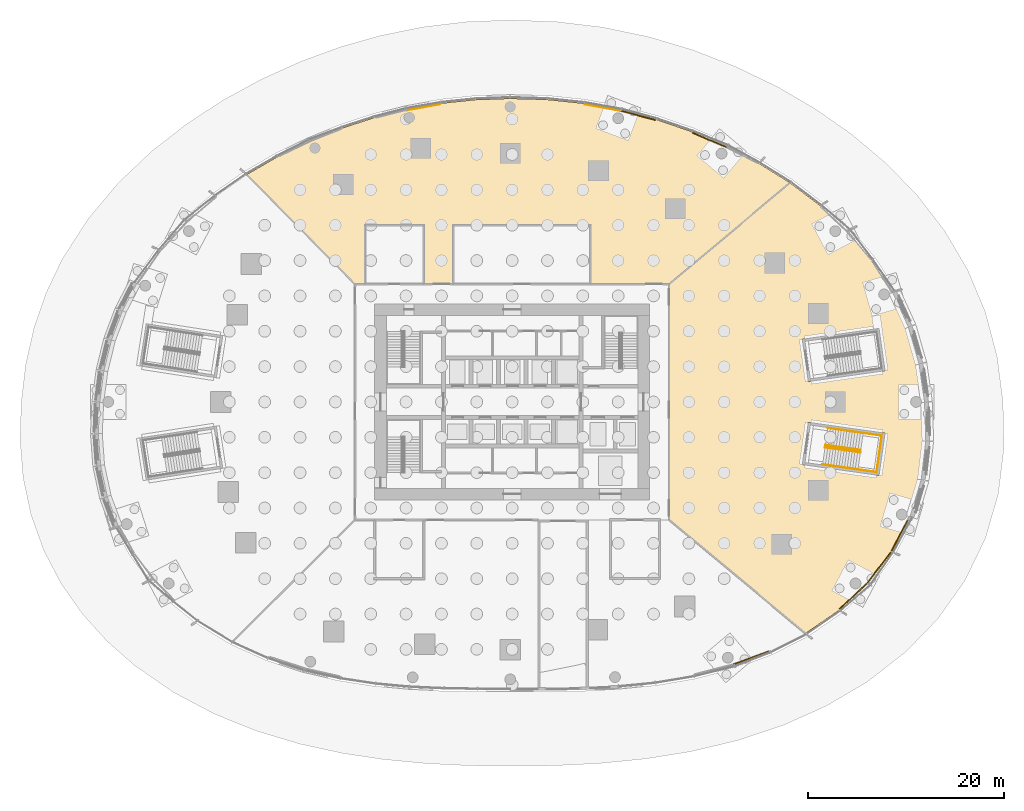
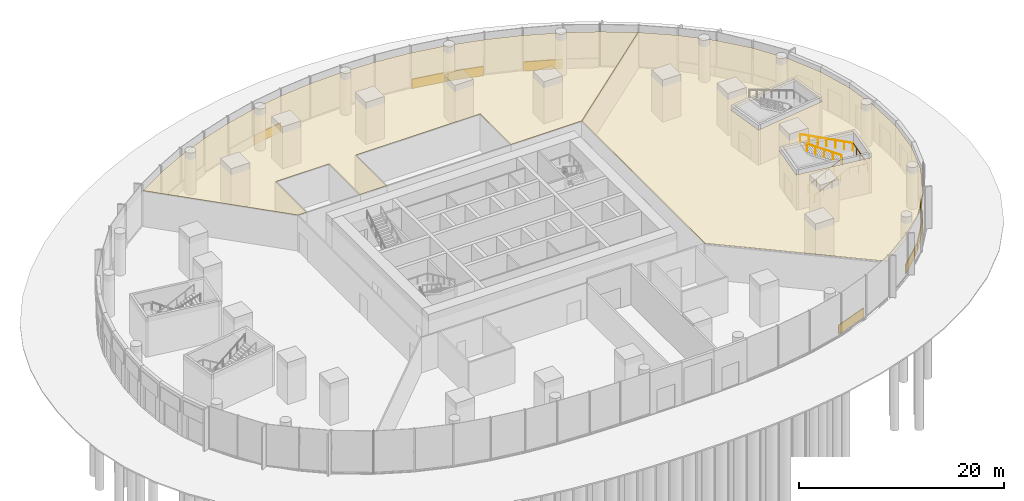
# One storey, part 27 of 29: 11 coverings, 5 railings.
"""IFC4 building model written with IfcOpenShell, lengths in metres."""

from ifc_helpers import new_model, si_unit, direction, frame, origin, origin_2d, place, context, subcontext, project, spatial, polyline, rectangle, circle, outline, extrude, material, layer, layer_set, type_object, element, save


model = new_model("IFC4")

# Units and contexts
model_context = context("Model", 3, precision=1e-05, world=origin(), true_north=direction((0.0, 1.0)))
body_context = subcontext(model_context, "Body", "Model", "MODEL_VIEW")
ifc_project = project(units=[si_unit("LENGTHUNIT", "METRE"), si_unit("AREAUNIT", "SQUARE_METRE"), si_unit("VOLUMEUNIT", "CUBIC_METRE"), si_unit("PLANEANGLEUNIT", "RADIAN"), si_unit("MASSUNIT", "GRAM", prefix="KILO")], contexts=[model_context])

# Site, building, storey
site_placement = place(None, origin())
site = spatial("IfcSite", under=ifc_project, at=site_placement, CompositionType="ELEMENT")
building_placement = place(site_placement, origin())
building = spatial("IfcBuilding", under=site, at=building_placement, Name="Ghaith Harvest Tower", CompositionType="ELEMENT")
storey_placement = place(building_placement, origin())
storey = spatial("IfcBuildingStorey", under=building, at=storey_placement, Name="L00", CompositionType="ELEMENT", Elevation=0.0)

# Coverings
ifc_material_1 = material(Name="Mineral fibre ceiling tile", Category="gypsum")
ifc_layer_1 = layer(ifc_material_1, 0.014892578125)
ifc_layer_set_1 = layer_set([ifc_layer_1], Name="CEILING C3")
covering_type_1 = type_object("IfcCoveringType", Name="CEILING C3", PredefinedType="CEILING", material=ifc_layer_set_1)
covering_1_placement = place(storey_placement, frame((0.0, 0.0, 4.199951171875)))
element("IfcCovering", 1, at=covering_1_placement, inside=storey, type_object=covering_type_1, Name="Ceiling L00-N1", PredefinedType="CEILING", context=body_context, shape_type="SweptSolid", body=[
    extrude(outline(polyline([(16.0, 12.0), (8.0, 12.0), (8.0, 18.0), (-6.0, 18.0), (-6.0, 12.0), (-9.0, 12.0), (-9.0, 18.0), (-15.0, 18.0), (-15.0, 12.0), (-16.0, 12.0), (-27.0146484375, 23.16162109375), (-23.8251953125, 25.008056640625), (-20.624267578125, 26.55615234375), (-17.31640625, 27.882568359375), (-14.027099609375, 28.951416015625), (-10.755126953125, 29.778076171875), (-7.227783203125, 30.410400390625), (-3.714111328125, 30.778564453125), (-0.21142578125, 30.899658203125), (3.546875, 30.789794921875), (7.317138671875, 30.397705078125), (11.103271484375, 29.701171875), (14.681396484375, 28.758056640625), (18.281005859375, 27.522705078125), (21.901123046875, 25.9716796875), (25.11083984375, 24.3037109375), (28.29345703125, 22.319580078125), (16.0, 12.0)])), origin(), (0.0, 0.0, 1.0), 0.01513671875),
])
covering_2_placement = place(storey_placement, frame((0.0, 0.0, 4.199951171875)))
element("IfcCovering", 2, at=covering_2_placement, inside=storey, type_object=covering_type_1, Name="Ceiling L00-E1", PredefinedType="CEILING", context=body_context, shape_type="SweptSolid", body=[
    extrude(outline(polyline([(16.0, -12.0), (16.0, 12.0), (28.29345703125, 22.319580078125), (31.389404296875, 19.9765625), (34.138671875, 17.4111328125), (36.625732421875, 14.47998046875), (38.736572265625, 11.19580078125), (40.3486328125, 7.658203125), (41.43310546875, 3.897216796875), (42.0, 0.0), (42.129150390625, -3.962646484375), (41.6611328125, -7.9072265625), (40.513427734375, -11.709228515625), (38.668212890625, -15.287353515625), (36.223876953125, -18.474609375), (33.314208984375, -21.201416015625), (29.87744140625, -23.5693359375), (16.0, -12.0)]), holes=[polyline([(29.547119140625, 6.381103515625), (30.156982421875, 2.073974609375), (37.97900390625, 3.181640625), (37.369140625, 7.488525390625), (29.547119140625, 6.381103515625)]), polyline([(29.547119140625, -6.381103515625), (37.369140625, -7.488525390625), (37.97900390625, -3.181640625), (30.156982421875, -2.073974609375), (29.547119140625, -6.381103515625)])]), origin(), (0.0, 0.0, 1.0), 0.01513671875),
])

# Railings
ifc_material_2 = material(Name="Steel, black powder-coated", Category="steel")
railing_type = type_object("IfcRailingType", Name="HANDRAIL HR1", PredefinedType="HANDRAIL", material=ifc_material_2)
railing_1_placement = place(storey_placement, frame((31.864501953125, -4.638671875, 0.178466796875)))
element("IfcRailing", 3, at=railing_1_placement, inside=storey, type_object=railing_type, Name="Handrail HR1 stair PS4 L00 flight 1 inner", PredefinedType="HANDRAIL", context=body_context, shape_type="SweptSolid", body=[
    extrude(circle(Radius=0.02392578125, at=origin_2d()), frame((0.0, 0.0, 0.8759765625), z_axis=(0.834789956534, -0.118189338108, 0.537733213432), x_axis=(0.140181743649, 0.990125789356, 0.0)), (0.0, 0.0, 1.0), 4.317138671875),
    extrude(circle(Radius=0.02099609375, at=origin_2d()), origin(), (0.0, 0.0, 1.0), 0.851806640625),
    extrude(circle(Radius=0.02099609375, at=origin_2d()), frame((0.90087890625, -0.12744140625, 0.580322265625)), (0.0, 0.0, 1.0), 0.851806640625),
    extrude(circle(Radius=0.02099609375, at=origin_2d()), frame((1.802001953125, -0.255126953125, 1.16064453125)), (0.0, 0.0, 1.0), 0.851806640625),
    extrude(circle(Radius=0.02099609375, at=origin_2d()), frame((2.703125, -0.3828125, 1.7412109375)), (0.0, 0.0, 1.0), 0.851806640625),
    extrude(circle(Radius=0.02099609375, at=origin_2d()), frame((3.60400390625, -0.51025390625, 2.321533203125)), (0.0, 0.0, 1.0), 0.851806640625),
])
railing_2_placement = place(storey_placement, frame((35.50341796875, -4.901611328125, 2.678466796875)))
element("IfcRailing", 4, at=railing_2_placement, inside=storey, type_object=railing_type, Name="Handrail HR1 stair PS4 L00 flight 2 inner", PredefinedType="HANDRAIL", context=body_context, shape_type="SweptSolid", body=[
    extrude(circle(Radius=0.02392578125, at=origin_2d()), frame((0.0, 0.0, 0.8759765625), z_axis=(-0.834784375855, 0.118245097542, 0.537729618615), x_axis=(-0.140247497288, -0.990116477746, 0.0)), (0.0, 0.0, 1.0), 4.3173828125),
    extrude(circle(Radius=0.02099609375, at=origin_2d()), origin(), (0.0, 0.0, 1.0), 0.851806640625),
    extrude(circle(Radius=0.02099609375, at=origin_2d()), frame((-0.90087890625, 0.127685546875, 0.580322265625)), (0.0, 0.0, 1.0), 0.851806640625),
    extrude(circle(Radius=0.02099609375, at=origin_2d()), frame((-1.802001953125, 0.25537109375, 1.16064453125)), (0.0, 0.0, 1.0), 0.851806640625),
    extrude(circle(Radius=0.02099609375, at=origin_2d()), frame((-2.703125, 0.3828125, 1.7412109375)), (0.0, 0.0, 1.0), 0.851806640625),
    extrude(circle(Radius=0.02099609375, at=origin_2d()), frame((-3.60400390625, 0.510498046875, 2.321533203125)), (0.0, 0.0, 1.0), 0.851806640625),
])
railing_3_placement = place(storey_placement, frame((31.618896484375, -6.371337890625, 0.178466796875)))
element("IfcRailing", 5, at=railing_3_placement, inside=storey, type_object=railing_type, Name="Handrail HR1 stair PS4 L00 wall side flight 1", PredefinedType="HANDRAIL", context=body_context, shape_type="SweptSolid", body=[
    extrude(circle(Radius=0.02392578125, at=origin_2d()), frame((0.0, 0.0, 0.8759765625), z_axis=(0.834789956534, -0.118189338108, 0.537733213432), x_axis=(0.140181743649, 0.990125789356, 0.0)), (0.0, 0.0, 1.0), 4.317138671875),
    extrude(circle(Radius=0.02099609375, at=origin_2d()), origin(), (0.0, 0.0, 1.0), 0.851806640625),
    extrude(circle(Radius=0.02099609375, at=origin_2d()), frame((0.90087890625, -0.12744140625, 0.580322265625)), (0.0, 0.0, 1.0), 0.851806640625),
    extrude(circle(Radius=0.02099609375, at=origin_2d()), frame((1.802001953125, -0.255126953125, 1.16064453125)), (0.0, 0.0, 1.0), 0.851806640625),
    extrude(circle(Radius=0.02099609375, at=origin_2d()), frame((2.703125, -0.3828125, 1.7412109375)), (0.0, 0.0, 1.0), 0.851806640625),
    extrude(circle(Radius=0.02099609375, at=origin_2d()), frame((3.60400390625, -0.51025390625, 2.321533203125)), (0.0, 0.0, 1.0), 0.851806640625),
])
railing_4_placement = place(storey_placement, frame((35.222900390625, -6.881591796875, 2.5)))
element("IfcRailing", 6, at=railing_4_placement, inside=storey, type_object=railing_type, Name="Handrail HR1 stair PS4 L00 wall side half landing", PredefinedType="HANDRAIL", context=body_context, shape_type="SweptSolid", body=[
    extrude(circle(Radius=0.02392578125, at=origin_2d()), frame((0.0, 0.0, 0.8759765625), z_axis=(0.990122563761, -0.140204524648, 0.0), x_axis=(0.140204524648, 0.990122563761, 0.0)), (0.0, 0.0, 1.0), 1.91015625),
    extrude(circle(Radius=0.02392578125, at=origin_2d()), frame((1.891357421875, -0.267822265625, 0.8759765625), z_axis=(0.140172516892, 0.990127095634, 0.0), x_axis=(-0.990127095634, 0.140172516892, 0.0)), (0.0, 0.0, 1.0), 3.75),
    extrude(circle(Radius=0.02099609375, at=origin_2d()), origin(), (0.0, 0.0, 1.0), 0.851806640625),
    extrude(circle(Radius=0.02099609375, at=origin_2d()), frame((0.94580078125, -0.1337890625, 0.0)), (0.0, 0.0, 1.0), 0.851806640625),
    extrude(circle(Radius=0.02099609375, at=origin_2d()), frame((1.891357421875, -0.267822265625, 0.0)), (0.0, 0.0, 1.0), 0.851806640625),
    extrude(circle(Radius=0.02099609375, at=origin_2d()), frame((2.022705078125, 0.660400390625, 0.0)), (0.0, 0.0, 1.0), 0.851806640625),
    extrude(circle(Radius=0.02099609375, at=origin_2d()), frame((2.154296875, 1.588623046875, 0.0)), (0.0, 0.0, 1.0), 0.851806640625),
    extrude(circle(Radius=0.02099609375, at=origin_2d()), frame((2.28564453125, 2.516845703125, 0.0)), (0.0, 0.0, 1.0), 0.851806640625),
    extrude(circle(Radius=0.02099609375, at=origin_2d()), frame((2.4169921875, 3.445068359375, 0.0)), (0.0, 0.0, 1.0), 0.851806640625),
])
railing_5_placement = place(storey_placement, frame((37.639892578125, -3.4365234375, 2.5)))
element("IfcRailing", 7, at=railing_5_placement, inside=storey, type_object=railing_type, Name="Handrail HR1 stair PS4 L00 wall side flight 2", PredefinedType="HANDRAIL", context=body_context, shape_type="SweptSolid", body=[
    extrude(circle(Radius=0.02392578125, at=origin_2d()), frame((0.0, 0.0, 0.8759765625), z_axis=(-0.902761020002, 0.12782563403, 0.410710540466), x_axis=(-0.140195690307, -0.990123814692, 0.0)), (0.0, 0.0, 1.0), 6.0869140625),
    extrude(circle(Radius=0.02099609375, at=origin_2d()), origin(), (0.0, 0.0, 1.0), 0.851806640625),
    extrude(circle(Radius=0.02099609375, at=origin_2d()), frame((-0.915771484375, 0.129638671875, 0.416748046875)), (0.0, 0.0, 1.0), 0.851806640625),
    extrude(circle(Radius=0.02099609375, at=origin_2d()), frame((-1.831787109375, 0.25927734375, 0.833251953125)), (0.0, 0.0, 1.0), 0.851806640625),
    extrude(circle(Radius=0.02099609375, at=origin_2d()), frame((-2.74755859375, 0.38916015625, 1.25)), (0.0, 0.0, 1.0), 0.851806640625),
    extrude(circle(Radius=0.02099609375, at=origin_2d()), frame((-3.663330078125, 0.518798828125, 1.666748046875)), (0.0, 0.0, 1.0), 0.851806640625),
    extrude(circle(Radius=0.02099609375, at=origin_2d()), frame((-4.579345703125, 0.6484375, 2.083251953125)), (0.0, 0.0, 1.0), 0.851806640625),
    extrude(circle(Radius=0.02099609375, at=origin_2d()), frame((-5.4951171875, 0.778076171875, 2.5)), (0.0, 0.0, 1.0), 0.851806640625),
])

# Coverings
ifc_material_3 = material(Name="Insulated aluminium spandrel panel on steel framing", Category="steel")
ifc_layer_2 = layer(ifc_material_3, 0.10009765625)
ifc_layer_set_2 = layer_set([ifc_layer_2], Name="SLAB EDGE UPSTAND 1100x100")
covering_type_2 = type_object("IfcCoveringType", Name="SLAB EDGE UPSTAND 1100x100", PredefinedType="CLADDING", material=ifc_layer_set_2)
covering_3_placement = place(storey_placement, frame((20.1171875, 26.681640625, 0.0), z_axis=(0.0, 0.0, 1.0), x_axis=(-0.919190597387, 0.39381295773, 0.0)))
element("IfcCovering", 8, at=covering_3_placement, inside=storey, type_object=covering_type_2, Name="Slab edge upstand 1 bay 04 L00", PredefinedType="CLADDING", context=body_context, shape_type="SweptSolid", body=[
    extrude(rectangle(XDim=3.838623046875, YDim=0.10009765625, at=origin_2d()), origin(), (0.0, 0.0, 1.0), 1.10009765625),
])
covering_4_placement = place(storey_placement, frame((12.831298828125, 29.19384765625, 0.0), z_axis=(0.0, 0.0, 1.0), x_axis=(-0.966975363685, 0.25486986096, 0.0)))
element("IfcCovering", 9, at=covering_4_placement, inside=storey, type_object=covering_type_2, Name="Slab edge upstand 3 bay 04 L00", PredefinedType="CLADDING", context=body_context, shape_type="SweptSolid", body=[
    extrude(rectangle(XDim=3.600341796875, YDim=0.10009765625, at=origin_2d()), origin(), (0.0, 0.0, 1.0), 1.10009765625),
])
covering_5_placement = place(storey_placement, frame((9.25048828125, 29.9912109375, 0.0), z_axis=(0.0, 0.0, 1.0), x_axis=(-0.983492218086, 0.180950426815, 0.0)))
element("IfcCovering", 10, at=covering_5_placement, inside=storey, type_object=covering_type_2, Name="Slab edge upstand 1 bay 05 L00", PredefinedType="CLADDING", context=body_context, shape_type="SweptSolid", body=[
    extrude(rectangle(XDim=3.749755859375, YDim=0.10009765625, at=origin_2d()), origin(), (0.0, 0.0, 1.0), 1.10009765625),
])
covering_6_placement = place(storey_placement, frame((-9.031982421875, 30.0361328125, 0.0), z_axis=(0.0, 0.0, 1.0), x_axis=(-0.984304374545, -0.176479172288, 0.0)))
element("IfcCovering", 11, at=covering_6_placement, inside=storey, type_object=covering_type_2, Name="Slab edge upstand 3 bay 06 L00", PredefinedType="CLADDING", context=body_context, shape_type="SweptSolid", body=[
    extrude(rectangle(XDim=3.483642578125, YDim=0.10009765625, at=origin_2d()), origin(), (0.0, 0.0, 1.0), 1.10009765625),
])
covering_7_placement = place(storey_placement, frame((24.350341796875, -26.061279296875, 0.0), z_axis=(0.0, 0.0, 1.0), x_axis=(0.937518614693, 0.347935119101, 0.0)))
element("IfcCovering", 12, at=covering_7_placement, inside=storey, type_object=covering_type_2, Name="Slab edge upstand 1 bay 18 L00", PredefinedType="CLADDING", context=body_context, shape_type="SweptSolid", body=[
    extrude(rectangle(XDim=3.820556640625, YDim=0.10009765625, at=origin_2d()), origin(), (0.0, 0.0, 1.0), 1.10009765625),
])
covering_8_placement = place(storey_placement, frame((34.4287109375, -20.08837890625, 0.0), z_axis=(0.0, 0.0, 1.0), x_axis=(0.729659021671, 0.683811166985, 0.0)))
element("IfcCovering", 13, at=covering_8_placement, inside=storey, type_object=covering_type_2, Name="Slab edge upstand 1 bay 19 L00", PredefinedType="CLADDING", context=body_context, shape_type="SweptSolid", body=[
    extrude(rectangle(XDim=2.9482421875, YDim=0.10009765625, at=origin_2d()), origin(), (0.0, 0.0, 1.0), 1.10009765625),
])
covering_9_placement = place(storey_placement, frame((35.876953125, -18.731201171875, 0.0), z_axis=(0.0, 0.0, 1.0), x_axis=(0.729659021671, 0.683811166985, 0.0)))
element("IfcCovering", 14, at=covering_9_placement, inside=storey, type_object=covering_type_2, Name="Slab edge upstand 1 bay 19 L00", PredefinedType="CLADDING", context=body_context, shape_type="SweptSolid", body=[
    extrude(rectangle(XDim=0.857177734375, YDim=0.10009765625, at=origin_2d()), origin(), (0.0, 0.0, 1.0), 1.10009765625),
])
covering_10_placement = place(storey_placement, frame((37.3759765625, -16.89013671875, 0.0), z_axis=(0.0, 0.0, 1.0), x_axis=(0.60853664188, 0.793525774937, 0.0)))
element("IfcCovering", 15, at=covering_10_placement, inside=storey, type_object=covering_type_2, Name="Slab edge upstand 2 bay 19 L00", PredefinedType="CLADDING", context=body_context, shape_type="SweptSolid", body=[
    extrude(rectangle(XDim=3.91650390625, YDim=0.10009765625, at=origin_2d()), origin(), (0.0, 0.0, 1.0), 1.10009765625),
])
covering_11_placement = place(storey_placement, frame((39.474853515625, -13.61376953125, 0.0), z_axis=(0.0, 0.0, 1.0), x_axis=(0.458352603838, 0.888770437489, 0.0)))
element("IfcCovering", 16, at=covering_11_placement, inside=storey, type_object=covering_type_2, Name="Slab edge upstand 3 bay 19 L00", PredefinedType="CLADDING", context=body_context, shape_type="SweptSolid", body=[
    extrude(rectangle(XDim=3.5146484375, YDim=0.10009765625, at=origin_2d()), origin(), (0.0, 0.0, 1.0), 1.10009765625),
])

save(model, "model.ifc")
